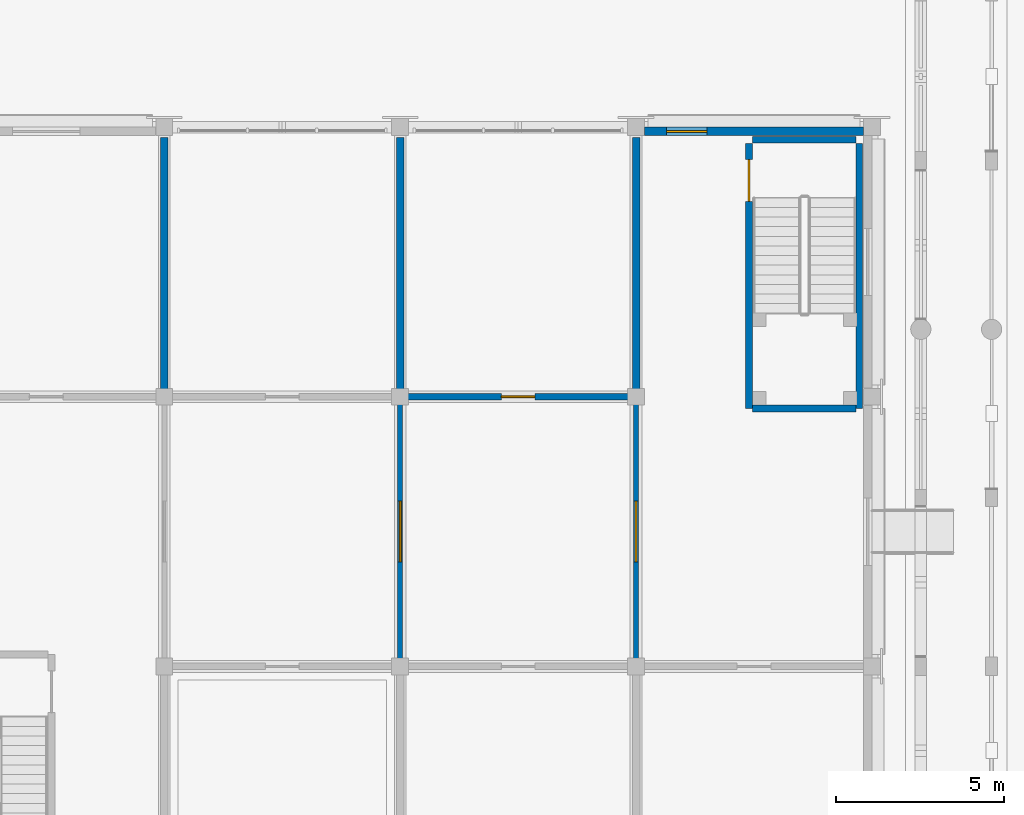
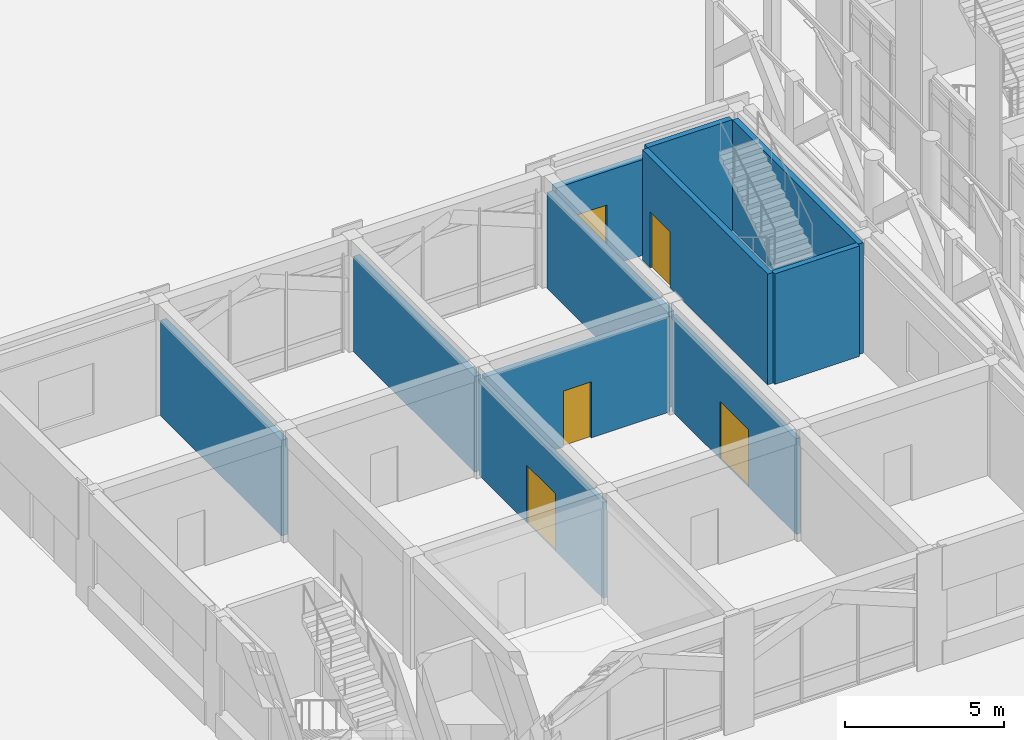
# One storey, part 99 of 135: 11 walls, 4 doors, 1 window, 5 openings.
"""IFC4 building model written with IfcOpenShell, lengths in metres."""

from ifc_helpers import new_model, si_unit, direction, frame, frame_2d, origin, place, context, subcontext, project, spatial, rectangle, extrude, material, layer, layer_set, type_object, element, fill, save


model = new_model("IFC4")

# Units and contexts
model_context = context("Model", 3, precision=1e-05, world=origin(), true_north=direction((0.0, 1.0)))
body_context = subcontext(model_context, "Body", "Model", "MODEL_VIEW")
ifc_project = project(units=[si_unit("LENGTHUNIT", "METRE"), si_unit("AREAUNIT", "SQUARE_METRE"), si_unit("VOLUMEUNIT", "CUBIC_METRE"), si_unit("PLANEANGLEUNIT", "RADIAN"), si_unit("MASSUNIT", "GRAM", prefix="KILO")], contexts=[model_context])

# Site, building, storey
site_placement = place(None, origin())
site = spatial("IfcSite", under=ifc_project, at=site_placement, CompositionType="ELEMENT")
building_placement = place(site_placement, origin())
building = spatial("IfcBuilding", under=site, at=building_placement, Name="Kiranvali Square Residences", CompositionType="ELEMENT")
storey_placement = place(building_placement, origin())
storey = spatial("IfcBuildingStorey", under=building, at=storey_placement, Name="L00", CompositionType="ELEMENT", Elevation=0.0)

# Wall, opening, door
ifc_material_1 = material(Name="Autoclaved aerated concrete blockwork masonry", Category="masonry")
ifc_layer_1 = layer(ifc_material_1, 0.199951171875)
ifc_layer_set_1 = layer_set([ifc_layer_1], Name="Autoclaved aerated concrete blockwork masonry")
wall_type_1 = type_object("IfcWallType", Name="WL-COR-200", PredefinedType="STANDARD", material=ifc_layer_set_1)
wall_1_placement = place(storey_placement, frame((52.14990234375, 72.0, 0.0), z_axis=(0.0, 0.0, 1.0), x_axis=(1.0, 0.0, 0.0)))
wall_1 = element("IfcWall", 1, at=wall_1_placement, inside=storey, type_object=wall_type_1, Name="L00 architectural wall WL-NR-L00-Y1-2", PredefinedType="STANDARD", context=body_context, shape_type="SweptSolid", body=[
    extrude(rectangle(XDim=6.7001953125, YDim=0.199951171875, at=frame_2d((3.35009765625, 0.0))), origin(), (0.0, 0.0, 1.0), 3.672119140625),
])
opening_1_placement = place(wall_1_placement, frame((2.85009765625, 0.0, 0.0)))
opening_1 = element("IfcOpeningElement", 2, at=opening_1_placement, cuts=wall_1, Name="Opening FD-APT-60", PredefinedType="OPENING", context=body_context, shape_type="SweptSolid", body=[
    extrude(rectangle(XDim=1.0, YDim=2.14990234375, at=frame_2d((0.5, 1.074951171875))), frame((0.0, 0.10986328125, 0.0), z_axis=(0.0, -1.0, 0.0), x_axis=(1.0, 0.0, 0.0)), (0.0, 0.0, 1.0), 0.219970703125),
])
ifc_material_2 = material(Name="Fire-rated acoustic hardwood and mineral-core door assembly", Category="wood")
door_type_1 = type_object("IfcDoorType", Name="DR-APT-1000", OperationType="NOTDEFINED", PredefinedType="DOOR", material=ifc_material_2)
door_1_placement = place(opening_1_placement, origin())
door_1 = element("IfcDoor", 3, at=door_1_placement, inside=storey, type_object=door_type_1, Name="L00 door DR-L00-2315 (DR-APT-1000)", OperationType="SINGLE_SWING_LEFT", OverallHeight=2.14990234375, OverallWidth=1.0, PredefinedType="DOOR", context=body_context, shape_type="SweptSolid", body=[
    extrude(rectangle(XDim=1.0, YDim=2.14990234375, at=frame_2d((0.5, 1.074951171875))), frame((0.0, 0.02490234375, 0.0), z_axis=(0.0, -1.0, 0.0), x_axis=(1.0, 0.0, 0.0)), (0.0, 0.0, 1.0), 0.050048828125),
])
fill(opening_1, door_1)

# Walls
ifc_layer_2 = layer(ifc_material_1, 0.219970703125)
ifc_layer_set_2 = layer_set([ifc_layer_2], Name="Autoclaved aerated concrete blockwork masonry")
wall_type_2 = type_object("IfcWallType", Name="WL-DEM-220", PredefinedType="STANDARD", material=ifc_layer_set_2)
for number, where, z_axis, x_axis, name in (
    (4, (45.0, 72.10009765625, 0.0), (0.0, 0.0, 1.0), (0.0, 1.0, 0.0), "L00 architectural wall WL-NR-L00-X1-N"),
    (5, (52.0, 72.10009765625, 0.0), (0.0, 0.0, 1.0), (0.0, 1.0, 0.0), "L00 architectural wall WL-NR-L00-X2-N"),
    (6, (59.0, 72.10009765625, 0.0), (0.0, 0.0, 1.0), (0.0, 1.0, 0.0), "L00 architectural wall WL-NR-L00-X3-N"),
):
    element("IfcWall", number, at=place(storey_placement, frame(where, z_axis=z_axis, x_axis=x_axis)), inside=storey, type_object=wall_type_2, Name=name, PredefinedType="STANDARD", context=body_context, shape_type="SweptSolid", body=[
        extrude(rectangle(XDim=7.599853515625, YDim=0.219970703125, at=frame_2d((3.7998046875, 0.0))), origin(), (0.0, 0.0, 1.0), 3.672119140625),
    ])

# Wall, opening, window
ifc_material_3 = material(Name="Breathable lime-rendered clay brick masonry", Category="masonry")
ifc_layer_3 = layer(ifc_material_3, 0.25)
ifc_layer_set_3 = layer_set([ifc_layer_3], Name="Breathable lime-rendered clay brick masonry")
wall_type_3 = type_object("IfcWallType", Name="WL-EXT-250", PredefinedType="STANDARD", material=ifc_layer_set_3)
wall_2_placement = place(storey_placement, frame((59.25341796875, 79.875, 0.0), z_axis=(0.0, 0.0, 1.0), x_axis=(1.0, 0.0, 0.0)))
wall_2 = element("IfcWall", 7, at=wall_2_placement, inside=storey, type_object=wall_type_3, Name="L00 exterior wall NR-L00-N-3", PredefinedType="STANDARD", context=body_context, shape_type="SweptSolid", body=[
    extrude(rectangle(XDim=6.4931640625, YDim=0.25, at=frame_2d((3.24658203125, 0.0))), origin(), (0.0, 0.0, 1.0), 3.672119140625),
])
opening_2_placement = place(wall_2_placement, frame((0.646484375, 0.0, 0.8798828125)))
opening_2 = element("IfcOpeningElement", 8, at=opening_2_placement, cuts=wall_2, Name="Opening W-06", PredefinedType="OPENING", context=body_context, shape_type="SweptSolid", body=[
    extrude(rectangle(XDim=1.199951171875, YDim=1.5, at=frame_2d((0.60009765625, 0.75))), frame((0.0, 0.135009765625, 0.0), z_axis=(0.0, -1.0, 0.0), x_axis=(1.0, 0.0, 0.0)), (0.0, 0.0, 1.0), 0.27001953125),
])
ifc_material_4 = material(Name="Solar-control low-e double glazing", Category="glass")
window_type = type_object("IfcWindowType", Name="WIN-RES-1200x1500", PartitioningType="SINGLE_PANEL", PredefinedType="WINDOW", material=ifc_material_4)
window_placement = place(opening_2_placement, origin())
window = element("IfcWindow", 9, at=window_placement, inside=storey, type_object=window_type, Name="L00 recessed window NR-L00-N-3", OverallHeight=1.5, OverallWidth=1.199951171875, PartitioningType="SINGLE_PANEL", PredefinedType="WINDOW", context=body_context, shape_type="SweptSolid", body=[
    extrude(rectangle(XDim=1.199951171875, YDim=1.5, at=frame_2d((0.60009765625, 0.75))), frame((0.0, 0.030029296875, 0.0), z_axis=(0.0, -1.0, 0.0), x_axis=(1.0, 0.0, 0.0)), (0.0, 0.0, 1.0), 0.06005859375),
])
fill(opening_2, window)

# Wall, opening, door
ifc_material_5 = material(Name="Acoustic gypsum board drylined partition", Category="gypsum")
ifc_layer_4 = layer(ifc_material_5, 0.14990234375)
ifc_layer_set_4 = layer_set([ifc_layer_4], Name="Acoustic gypsum board drylined partition")
wall_type_4 = type_object("IfcWallType", Name="WL-PRT-150", PredefinedType="PARTITIONING", material=ifc_layer_set_4)
wall_3_placement = place(storey_placement, frame((52.0, 64.10009765625, 0.0), z_axis=(0.0, 0.0, 1.0), x_axis=(0.0, 1.0, 0.0)))
wall_3 = element("IfcWall", 10, at=wall_3_placement, inside=storey, type_object=wall_type_4, Name="L00 architectural wall WL-NR-L00-X2-M", PredefinedType="PARTITIONING", context=body_context, shape_type="SweptSolid", body=[
    extrude(rectangle(XDim=7.7998046875, YDim=0.14990234375, at=frame_2d((3.89990234375, 0.0))), origin(), (0.0, 0.0, 1.0), 3.672119140625),
])
opening_3_placement = place(wall_3_placement, frame((3.0, 0.0, 0.0)))
opening_3 = element("IfcOpeningElement", 11, at=opening_3_placement, cuts=wall_3, Name="Opening ED-GLZ-180", PredefinedType="OPENING", context=body_context, shape_type="SweptSolid", body=[
    extrude(rectangle(XDim=1.800048828125, YDim=2.199951171875, at=frame_2d((0.89990234375, 1.10009765625))), frame((0.0, 0.0849609375, 0.0), z_axis=(0.0, -1.0, 0.0), x_axis=(1.0, 0.0, 0.0)), (0.0, 0.0, 1.0), 0.169921875),
])
ifc_material_6 = material(Name="Anodised bronze aluminium framing", Category="aluminium")
door_type_2 = type_object("IfcDoorType", Name="DR-GLZ-1800", OperationType="DOUBLE_DOOR_SINGLE_SWING", PredefinedType="DOOR", material=ifc_material_6)
door_2_placement = place(opening_3_placement, origin())
door_2 = element("IfcDoor", 12, at=door_2_placement, inside=storey, type_object=door_type_2, Name="L00 door DR-L00-2317 (DR-GLZ-1800)", OperationType="DOUBLE_DOOR_SINGLE_SWING", OverallHeight=2.199951171875, OverallWidth=1.800048828125, PredefinedType="DOOR", context=body_context, shape_type="SweptSolid", body=[
    extrude(rectangle(XDim=1.800048828125, YDim=2.199951171875, at=frame_2d((0.89990234375, 1.10009765625))), frame((0.0, 0.02490234375, 0.0), z_axis=(0.0, -1.0, 0.0), x_axis=(1.0, 0.0, 0.0)), (0.0, 0.0, 1.0), 0.050048828125),
])
fill(opening_3, door_2)

wall_4_placement = place(storey_placement, frame((59.0, 64.10009765625, 0.0), z_axis=(0.0, 0.0, 1.0), x_axis=(0.0, 1.0, 0.0)))
wall_4 = element("IfcWall", 13, at=wall_4_placement, inside=storey, type_object=wall_type_4, Name="L00 architectural wall WL-NR-L00-X3-M", PredefinedType="PARTITIONING", context=body_context, shape_type="SweptSolid", body=[
    extrude(rectangle(XDim=7.7998046875, YDim=0.14990234375, at=frame_2d((3.89990234375, 0.0))), origin(), (0.0, 0.0, 1.0), 3.672119140625),
])
opening_4_placement = place(wall_4_placement, frame((3.0, 0.0, 0.0)))
opening_4 = element("IfcOpeningElement", 14, at=opening_4_placement, cuts=wall_4, Name="Opening ED-GLZ-180", PredefinedType="OPENING", context=body_context, shape_type="SweptSolid", body=[
    extrude(rectangle(XDim=1.800048828125, YDim=2.199951171875, at=frame_2d((0.89990234375, 1.10009765625))), frame((0.0, 0.0849609375, 0.0), z_axis=(0.0, -1.0, 0.0), x_axis=(1.0, 0.0, 0.0)), (0.0, 0.0, 1.0), 0.169921875),
])
door_3_placement = place(opening_4_placement, origin())
door_3 = element("IfcDoor", 15, at=door_3_placement, inside=storey, type_object=door_type_2, Name="L00 door DR-L00-2318 (DR-GLZ-1800)", OperationType="DOUBLE_DOOR_SINGLE_SWING", OverallHeight=2.199951171875, OverallWidth=1.800048828125, PredefinedType="DOOR", context=body_context, shape_type="SweptSolid", body=[
    extrude(rectangle(XDim=1.800048828125, YDim=2.199951171875, at=frame_2d((0.89990234375, 1.10009765625))), frame((0.0, 0.02490234375, 0.0), z_axis=(0.0, -1.0, 0.0), x_axis=(1.0, 0.0, 0.0)), (0.0, 0.0, 1.0), 0.050048828125),
])
fill(opening_4, door_3)

# Walls
ifc_layer_5 = layer(ifc_material_1, 0.199951171875)
ifc_layer_set_5 = layer_set([ifc_layer_5], Name="Autoclaved aerated concrete blockwork masonry")
wall_type_5 = type_object("IfcWallType", Name="WL-SHF-200", PredefinedType="STANDARD", material=ifc_layer_set_5)
wall_5_placement = place(storey_placement, frame((65.6201171875, 71.64990234375, 0.0), z_axis=(0.0, 0.0, 1.0), x_axis=(0.0, 1.0, 0.0)))
element("IfcWall", 16, at=wall_5_placement, inside=storey, type_object=wall_type_5, Name="L00 architectural wall WL-NR-L00-S2E", PredefinedType="STANDARD", context=body_context, shape_type="SweptSolid", body=[
    extrude(rectangle(XDim=7.8701171875, YDim=0.199951171875, at=frame_2d((3.93505859375, 0.0))), origin(), (0.0, 0.0, 1.0), 4.239990234375),
])
for number, where, z_axis, x_axis, name in (
    (17, (62.449951171875, 79.6298828125, 0.0), (0.0, 0.0, 1.0), (1.0, 0.0, 0.0), "L00 architectural wall WL-NR-L00-S2N"),
    (18, (62.449951171875, 71.64990234375, 0.0), (0.0, 0.0, 1.0), (1.0, 0.0, 0.0), "L00 architectural wall WL-NR-L00-S2S"),
):
    element("IfcWall", number, at=place(storey_placement, frame(where, z_axis=z_axis, x_axis=x_axis)), inside=storey, type_object=wall_type_5, Name=name, PredefinedType="STANDARD", context=body_context, shape_type="SweptSolid", body=[
        extrude(rectangle(XDim=3.070068359375, YDim=0.199951171875, at=frame_2d((1.53515625, 0.0))), origin(), (0.0, 0.0, 1.0), 4.239990234375),
    ])

# Wall, opening, door
wall_6_placement = place(storey_placement, frame((62.35009765625, 71.64990234375, 0.0), z_axis=(0.0, 0.0, 1.0), x_axis=(0.0, 1.0, 0.0)))
wall_6 = element("IfcWall", 19, at=wall_6_placement, inside=storey, type_object=wall_type_5, Name="L00 architectural wall WL-NR-L00-S2W", PredefinedType="STANDARD", context=body_context, shape_type="SweptSolid", body=[
    extrude(rectangle(XDim=7.8701171875, YDim=0.199951171875, at=frame_2d((3.93505859375, 0.0))), origin(), (0.0, 0.0, 1.0), 4.239990234375),
])
opening_5_placement = place(wall_6_placement, frame((6.148193359375, 0.0, 0.0)))
opening_5 = element("IfcOpeningElement", 20, at=opening_5_placement, cuts=wall_6, Name="Opening FD-ST-120", PredefinedType="OPENING", context=body_context, shape_type="SweptSolid", body=[
    extrude(rectangle(XDim=1.239990234375, YDim=2.14990234375, at=frame_2d((0.6201171875, 1.074951171875))), frame((0.0, 0.10986328125, 0.0), z_axis=(0.0, -1.0, 0.0), x_axis=(1.0, 0.0, 0.0)), (0.0, 0.0, 1.0), 0.219970703125),
])
door_type_3 = type_object("IfcDoorType", Name="DR-FD120-1200", OperationType="NOTDEFINED", PredefinedType="DOOR", material=ifc_material_2)
door_4_placement = place(opening_5_placement, frame((1.239990234375, 0.0, 0.0), z_axis=(0.0, 0.0, 1.0), x_axis=(-1.0, 0.0, 0.0)))
door_4 = element("IfcDoor", 21, at=door_4_placement, inside=storey, type_object=door_type_3, Name="L00 door DR-L00-2308 (DR-FD120-1200)", OperationType="SINGLE_SWING_RIGHT", OverallHeight=2.14990234375, OverallWidth=1.239990234375, PredefinedType="DOOR", context=body_context, shape_type="SweptSolid", body=[
    extrude(rectangle(XDim=1.239990234375, YDim=2.14990234375, at=frame_2d((0.6201171875, 1.074951171875))), frame((0.0, 0.02490234375, 0.0), z_axis=(0.0, -1.0, 0.0), x_axis=(1.0, 0.0, 0.0)), (0.0, 0.0, 1.0), 0.050048828125),
])
fill(opening_5, door_4)

save(model, "model.ifc")
